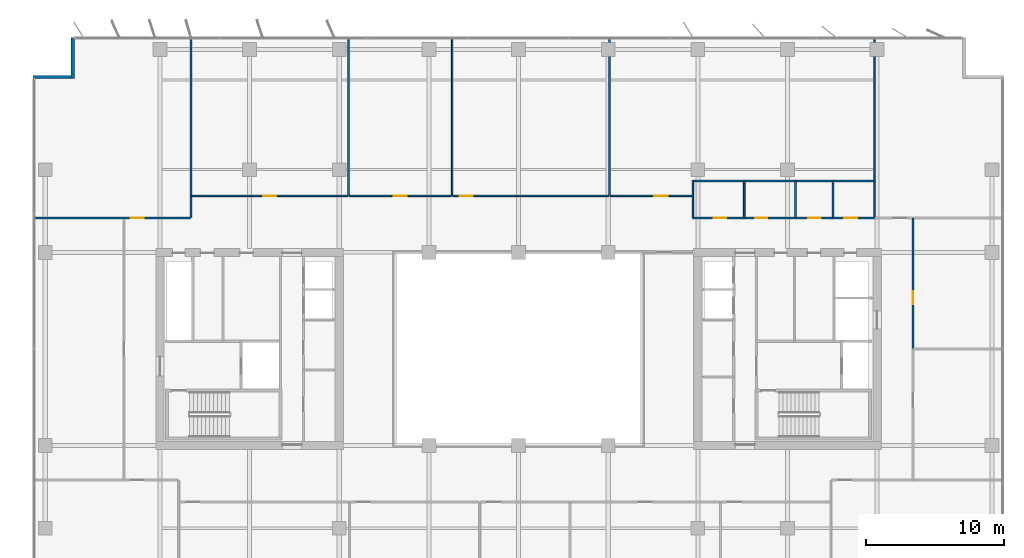
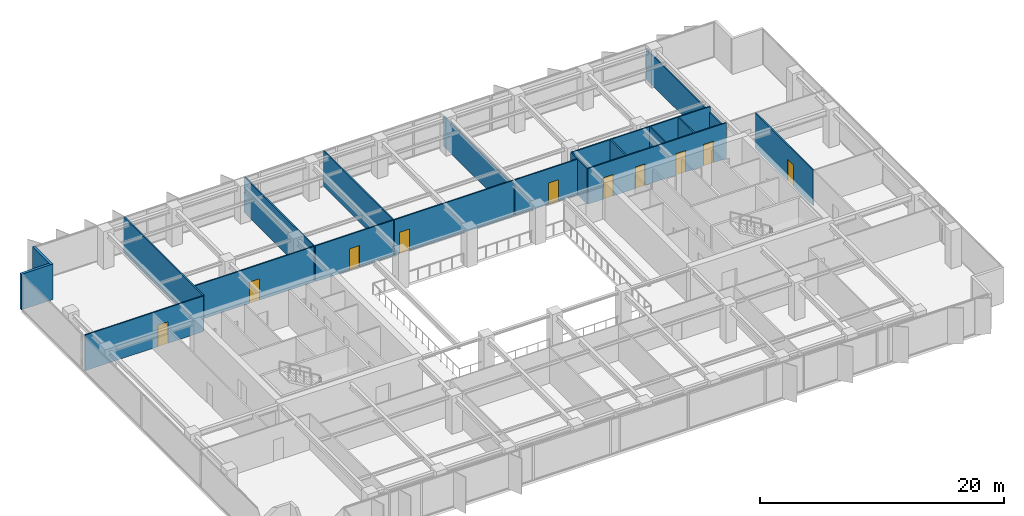
# One storey, part 17 of 22: 19 walls, 10 doors, 10 openings.
"""IFC4 building model written with IfcOpenShell, lengths in metres."""

from ifc_helpers import new_model, si_unit, direction, frame, frame_2d, origin, place, context, subcontext, project, spatial, rectangle, extrude, material, layer, layer_set, type_object, element, fill, save


model = new_model("IFC4")

# Units and contexts
model_context = context("Model", 3, precision=1e-05, world=origin(), true_north=direction((0.0, 1.0)))
body_context = subcontext(model_context, "Body", "Model", "MODEL_VIEW")
ifc_project = project(units=[si_unit("LENGTHUNIT", "METRE"), si_unit("AREAUNIT", "SQUARE_METRE"), si_unit("VOLUMEUNIT", "CUBIC_METRE"), si_unit("PLANEANGLEUNIT", "RADIAN"), si_unit("MASSUNIT", "GRAM", prefix="KILO")], contexts=[model_context])

# Site, building, storey
site_placement = place(None, origin())
site = spatial("IfcSite", under=ifc_project, at=site_placement, CompositionType="ELEMENT")
building_placement = place(site_placement, origin())
building = spatial("IfcBuilding", under=site, at=building_placement, Name="Putna Gate Headquarters", CompositionType="ELEMENT")
storey_placement = place(building_placement, frame((0.0, 0.0, 163.199951171875)))
storey = spatial("IfcBuildingStorey", under=building, at=storey_placement, Name="L40", CompositionType="ELEMENT", Elevation=163.199951171875)

# Walls
ifc_material_1 = material(Name="Precast concrete C40/50", Category="concrete")
ifc_layer_1 = layer(ifc_material_1, 0.239990234375)
ifc_layer_set_1 = layer_set([ifc_layer_1], Name="Precast concrete C40/50")
wall_type_1 = type_object("IfcWallType", Name="WALL-EXT-TERR-240", PredefinedType="STANDARD", material=ifc_layer_set_1)
for number, where, z_axis, x_axis, name in (
    (1, (6.679931640625, 45.60009765625, 0.0), (0.0, 0.0, 1.0), (0.0, 1.0, 0.0), "L40 Corner Notch Return Wall NW-V"),
    (2, (3.800048828125, 45.719970703125, 0.0), (0.0, 0.0, 1.0), (1.0, 0.0, 0.0), "L40 Corner Notch Return Wall NW-H"),
):
    element("IfcWall", number, at=place(storey_placement, frame(where, z_axis=z_axis, x_axis=x_axis)), inside=storey, type_object=wall_type_1, Name=name, PredefinedType="STANDARD", context=body_context, shape_type="SweptSolid", body=[
        extrude(rectangle(XDim=3.0, YDim=0.239990234375, at=frame_2d((1.5, 0.0))), origin(), (0.0, 0.0, 1.0), 3.572021484375),
    ])
ifc_material_2 = material(Name="Acoustic gypsum board on metal stud")
ifc_layer_2 = layer(ifc_material_2, 0.1201171875)
ifc_layer_set_2 = layer_set([ifc_layer_2], Name="Acoustic gypsum board on metal stud")
wall_type_2 = type_object("IfcWallType", Name="WALL-PART-120", PredefinedType="PARTITIONING", material=ifc_layer_set_2)
wall_1_placement = place(storey_placement, frame((15.2548828125, 35.56005859375, 0.0), z_axis=(0.0, 0.0, 1.0), x_axis=(0.0, 1.0, 0.0)))
element("IfcWall", 3, at=wall_1_placement, inside=storey, type_object=wall_type_2, Name="L40 Interior Wall PART-L40-NB-DIV-01", PredefinedType="PARTITIONING", context=body_context, shape_type="SweptSolid", body=[
    extrude(rectangle(XDim=13.02001953125, YDim=0.1201171875, at=frame_2d((6.510009765625, 0.0))), origin(), (0.0, 0.0, 1.0), 3.572021484375),
])
for number, where, z_axis, x_axis, name in (
    (4, (26.669189453125, 37.159912109375, 0.0), (0.0, 0.0, 1.0), (0.0, 1.0, 0.0), "L40 Interior Wall PART-L40-NB-DIV-02"),
    (5, (34.185791015625, 37.159912109375, 0.0), (0.0, 0.0, 1.0), (0.0, 1.0, 0.0), "L40 Interior Wall PART-L40-NB-DIV-03"),
):
    element("IfcWall", number, at=place(storey_placement, frame(where, z_axis=z_axis, x_axis=x_axis)), inside=storey, type_object=wall_type_2, Name=name, PredefinedType="PARTITIONING", context=body_context, shape_type="SweptSolid", body=[
        extrude(rectangle(XDim=11.420166015625, YDim=0.1201171875, at=frame_2d((5.7099609375, 0.0))), origin(), (0.0, 0.0, 1.0), 3.572021484375),
    ])
wall_2_placement = place(storey_placement, frame((45.60009765625, 37.159912109375, 0.0), z_axis=(0.0, 0.0, 1.0), x_axis=(0.0, 1.0, 0.0)))
element("IfcWall", 6, at=wall_2_placement, inside=storey, type_object=wall_type_2, Name="L40 Interior Wall PART-L40-NB-DIV-04", PredefinedType="PARTITIONING", context=body_context, shape_type="SweptSolid", body=[
    extrude(rectangle(XDim=11.420166015625, YDim=0.1201171875, at=frame_2d((5.7099609375, 0.0))), origin(), (0.0, 0.0, 1.0), 3.02197265625),
])
wall_3_placement = place(storey_placement, frame((64.800048828125, 35.56005859375, 0.0), z_axis=(0.0, 0.0, 1.0), x_axis=(0.0, 1.0, 0.0)))
element("IfcWall", 7, at=wall_3_placement, inside=storey, type_object=wall_type_2, Name="L40 Interior Wall PART-L40-NB-DIV-05", PredefinedType="PARTITIONING", context=body_context, shape_type="SweptSolid", body=[
    extrude(rectangle(XDim=13.02001953125, YDim=0.1201171875, at=frame_2d((6.510009765625, 0.0))), origin(), (0.0, 0.0, 1.0), 3.02197265625),
])

# Wall, openings, doors
ifc_material_3 = material(Name="Fire-rated gypsum board on metal stud")
ifc_layer_3 = layer(ifc_material_3, 0.1201171875)
ifc_layer_set_3 = layer_set([ifc_layer_3], Name="Fire-rated gypsum board on metal stud")
wall_type_3 = type_object("IfcWallType", Name="WALL-PART-120-RATED", PredefinedType="PARTITIONING", material=ifc_layer_set_3)
wall_4_placement = place(storey_placement, frame((51.639892578125, 35.5, 0.0), z_axis=(0.0, 0.0, 1.0), x_axis=(1.0, 0.0, 0.0)))
wall_4 = element("IfcWall", 8, at=wall_4_placement, inside=storey, type_object=wall_type_3, Name="L40 Interior Wall PART-L40-SAN-CW", PredefinedType="PARTITIONING", context=body_context, shape_type="SweptSolid", body=[
    extrude(rectangle(XDim=13.16015625, YDim=0.1201171875, at=frame_2d((6.580078125, 0.0))), origin(), (0.0, 0.0, 1.0), 3.572021484375),
])
opening_1_placement = place(wall_4_placement, frame((1.510009765625, 0.0, 0.0)))
opening_1 = element("IfcOpeningElement", 9, at=opening_1_placement, cuts=wall_4, Name="Opening FD-90", PredefinedType="OPENING", context=body_context, shape_type="SweptSolid", body=[
    extrude(rectangle(XDim=0.89990234375, YDim=2.14990234375, at=frame_2d((0.449951171875, 1.074951171875))), frame((0.0, 0.070068359375, 0.0), z_axis=(0.0, -1.0, 0.0), x_axis=(1.0, 0.0, 0.0)), (0.0, 0.0, 1.0), 0.14013671875),
])
opening_2_placement = place(wall_4_placement, frame((4.510009765625, 0.0, 0.0)))
opening_2 = element("IfcOpeningElement", 10, at=opening_2_placement, cuts=wall_4, Name="Opening FD-90", PredefinedType="OPENING", context=body_context, shape_type="SweptSolid", body=[
    extrude(rectangle(XDim=0.89990234375, YDim=2.14990234375, at=frame_2d((0.449951171875, 1.074951171875))), frame((0.0, 0.070068359375, 0.0), z_axis=(0.0, -1.0, 0.0), x_axis=(1.0, 0.0, 0.0)), (0.0, 0.0, 1.0), 0.14013671875),
])
opening_3_placement = place(wall_4_placement, frame((8.360107421875, 0.0, 0.0)))
opening_3 = element("IfcOpeningElement", 11, at=opening_3_placement, cuts=wall_4, Name="Opening FD-90", PredefinedType="OPENING", context=body_context, shape_type="SweptSolid", body=[
    extrude(rectangle(XDim=0.89990234375, YDim=2.14990234375, at=frame_2d((0.449951171875, 1.074951171875))), frame((0.0, 0.070068359375, 0.0), z_axis=(0.0, -1.0, 0.0), x_axis=(1.0, 0.0, 0.0)), (0.0, 0.0, 1.0), 0.14013671875),
])
opening_4_placement = place(wall_4_placement, frame((10.9599609375, 0.0, 0.0)))
opening_4 = element("IfcOpeningElement", 12, at=opening_4_placement, cuts=wall_4, Name="Opening FD-95", PredefinedType="OPENING", context=body_context, shape_type="SweptSolid", body=[
    extrude(rectangle(XDim=0.949951171875, YDim=2.14990234375, at=frame_2d((0.47509765625, 1.074951171875))), frame((0.0, 0.070068359375, 0.0), z_axis=(0.0, -1.0, 0.0), x_axis=(1.0, 0.0, 0.0)), (0.0, 0.0, 1.0), 0.14013671875),
])
ifc_material_4 = material(Name="Acoustic washroom fire door")
door_type_1 = type_object("IfcDoorType", Name="DOOR-FIRE-900", OperationType="NOTDEFINED", PredefinedType="DOOR", material=ifc_material_4)
door_1_placement = place(opening_1_placement, origin())
door_1 = element("IfcDoor", 13, at=door_1_placement, inside=storey, type_object=door_type_1, Name="L40 Washroom Male Door", OperationType="SINGLE_SWING_RIGHT", OverallHeight=2.14990234375, OverallWidth=0.89990234375, PredefinedType="DOOR", context=body_context, shape_type="SweptSolid", body=[
    extrude(rectangle(XDim=0.89990234375, YDim=2.14990234375, at=frame_2d((0.449951171875, 1.074951171875))), frame((0.0, 0.02490234375, 0.0), z_axis=(0.0, -1.0, 0.0), x_axis=(1.0, 0.0, 0.0)), (0.0, 0.0, 1.0), 0.050048828125),
])
fill(opening_1, door_1)
door_2_placement = place(opening_2_placement, origin())
door_2 = element("IfcDoor", 14, at=door_2_placement, inside=storey, type_object=door_type_1, Name="L40 Washroom Female Door", OperationType="SINGLE_SWING_LEFT", OverallHeight=2.14990234375, OverallWidth=0.89990234375, PredefinedType="DOOR", context=body_context, shape_type="SweptSolid", body=[
    extrude(rectangle(XDim=0.89990234375, YDim=2.14990234375, at=frame_2d((0.449951171875, 1.074951171875))), frame((0.0, 0.02490234375, 0.0), z_axis=(0.0, -1.0, 0.0), x_axis=(1.0, 0.0, 0.0)), (0.0, 0.0, 1.0), 0.050048828125),
])
fill(opening_2, door_2)
door_3_placement = place(opening_3_placement, origin())
door_3 = element("IfcDoor", 15, at=door_3_placement, inside=storey, type_object=door_type_1, Name="L40 Accessible WC Door", OperationType="SINGLE_SWING_RIGHT", OverallHeight=2.14990234375, OverallWidth=0.89990234375, PredefinedType="DOOR", context=body_context, shape_type="SweptSolid", body=[
    extrude(rectangle(XDim=0.89990234375, YDim=2.14990234375, at=frame_2d((0.449951171875, 1.074951171875))), frame((0.0, 0.02490234375, 0.0), z_axis=(0.0, -1.0, 0.0), x_axis=(1.0, 0.0, 0.0)), (0.0, 0.0, 1.0), 0.050048828125),
])
fill(opening_3, door_3)
ifc_material_5 = material(Name="Acoustic timber fire door", Category="wood")
door_type_2 = type_object("IfcDoorType", Name="DOOR-FIRE-950", OperationType="NOTDEFINED", PredefinedType="DOOR", material=ifc_material_5)
door_4_placement = place(opening_4_placement, origin())
door_4 = element("IfcDoor", 16, at=door_4_placement, inside=storey, type_object=door_type_2, Name="L40 Staff Pantry and Tea Point Door", OperationType="SINGLE_SWING_LEFT", OverallHeight=2.14990234375, OverallWidth=0.949951171875, PredefinedType="DOOR", context=body_context, shape_type="SweptSolid", body=[
    extrude(rectangle(XDim=0.949951171875, YDim=2.14990234375, at=frame_2d((0.47509765625, 1.074951171875))), frame((0.0, 0.02490234375, 0.0), z_axis=(0.0, -1.0, 0.0), x_axis=(1.0, 0.0, 0.0)), (0.0, 0.0, 1.0), 0.050048828125),
])
fill(opening_4, door_4)

# Walls
wall_5_placement = place(storey_placement, frame((51.639892578125, 38.179931640625, 0.0), z_axis=(0.0, 0.0, 1.0), x_axis=(1.0, 0.0, 0.0)))
element("IfcWall", 17, at=wall_5_placement, inside=storey, type_object=wall_type_3, Name="L40 Interior Wall PART-L40-SAN-BACK", PredefinedType="PARTITIONING", context=body_context, shape_type="SweptSolid", body=[
    extrude(rectangle(XDim=13.16015625, YDim=0.1201171875, at=frame_2d((6.580078125, 0.0))), origin(), (0.0, 0.0, 1.0), 3.572021484375),
])
for number, where, z_axis, x_axis, name in (
    (18, (51.639892578125, 35.5, 0.0), (0.0, 0.0, 1.0), (0.0, 1.0, 0.0), "L40 Interior Wall PART-L40-SAN-DIV-1"),
    (19, (55.360107421875, 35.5, 0.0), (0.0, 0.0, 1.0), (0.0, 1.0, 0.0), "L40 Interior Wall PART-L40-SAN-DIV-2"),
    (20, (59.080078125, 35.5, 0.0), (0.0, 0.0, 1.0), (0.0, 1.0, 0.0), "L40 Interior Wall PART-L40-SAN-DIV-3"),
    (21, (61.800048828125, 35.5, 0.0), (0.0, 0.0, 1.0), (0.0, 1.0, 0.0), "L40 Interior Wall PART-L40-SAN-DIV-4"),
):
    element("IfcWall", number, at=place(storey_placement, frame(where, z_axis=z_axis, x_axis=x_axis)), inside=storey, type_object=wall_type_3, Name=name, PredefinedType="PARTITIONING", context=body_context, shape_type="SweptSolid", body=[
        extrude(rectangle(XDim=2.679931640625, YDim=0.1201171875, at=frame_2d((1.33984375, 0.0))), origin(), (0.0, 0.0, 1.0), 3.572021484375),
    ])

# Wall, opening, door
wall_6_placement = place(storey_placement, frame((3.97998046875, 35.5, 0.0), z_axis=(0.0, 0.0, 1.0), x_axis=(1.0, 0.0, 0.0)))
wall_6 = element("IfcWall", 22, at=wall_6_placement, inside=storey, type_object=wall_type_3, Name="L40 Interior Wall PART-L40-NB-CW-01", PredefinedType="PARTITIONING", context=body_context, shape_type="SweptSolid", body=[
    extrude(rectangle(XDim=11.215087890625, YDim=0.1201171875, at=frame_2d((5.607421875, 0.0))), origin(), (0.0, 0.0, 1.0), 3.572021484375),
])
opening_5_placement = place(wall_6_placement, frame((6.89990234375, 0.0, 0.0)))
opening_5 = element("IfcOpeningElement", 23, at=opening_5_placement, cuts=wall_6, Name="Opening FD-95", PredefinedType="OPENING", context=body_context, shape_type="SweptSolid", body=[
    extrude(rectangle(XDim=0.949951171875, YDim=2.14990234375, at=frame_2d((0.47509765625, 1.074951171875))), frame((0.0, 0.070068359375, 0.0), z_axis=(0.0, -1.0, 0.0), x_axis=(1.0, 0.0, 0.0)), (0.0, 0.0, 1.0), 0.14013671875),
])
door_5_placement = place(opening_5_placement, origin())
door_5 = element("IfcDoor", 24, at=door_5_placement, inside=storey, type_object=door_type_2, Name="L40 Cellular Office 1 Door", OperationType="SINGLE_SWING_RIGHT", OverallHeight=2.14990234375, OverallWidth=0.949951171875, PredefinedType="DOOR", context=body_context, shape_type="SweptSolid", body=[
    extrude(rectangle(XDim=0.949951171875, YDim=2.14990234375, at=frame_2d((0.47509765625, 1.074951171875))), frame((0.0, 0.02490234375, 0.0), z_axis=(0.0, -1.0, 0.0), x_axis=(1.0, 0.0, 0.0)), (0.0, 0.0, 1.0), 0.050048828125),
])
fill(opening_5, door_5)

wall_7_placement = place(storey_placement, frame((15.31494140625, 37.10009765625, 0.0), z_axis=(0.0, 0.0, 1.0), x_axis=(1.0, 0.0, 0.0)))
wall_7 = element("IfcWall", 25, at=wall_7_placement, inside=storey, type_object=wall_type_3, Name="L40 Interior Wall PART-L40-NB-CW-02", PredefinedType="PARTITIONING", context=body_context, shape_type="SweptSolid", body=[
    extrude(rectangle(XDim=11.294189453125, YDim=0.1201171875, at=frame_2d((5.64697265625, 0.0))), origin(), (0.0, 0.0, 1.0), 3.572021484375),
])
opening_6_placement = place(wall_7_placement, frame((5.172119140625, 0.0, 0.0)))
opening_6 = element("IfcOpeningElement", 26, at=opening_6_placement, cuts=wall_7, Name="Opening FD-95", PredefinedType="OPENING", context=body_context, shape_type="SweptSolid", body=[
    extrude(rectangle(XDim=0.949951171875, YDim=2.14990234375, at=frame_2d((0.47509765625, 1.074951171875))), frame((0.0, 0.070068359375, 0.0), z_axis=(0.0, -1.0, 0.0), x_axis=(1.0, 0.0, 0.0)), (0.0, 0.0, 1.0), 0.14013671875),
])
door_6_placement = place(opening_6_placement, origin())
door_6 = element("IfcDoor", 27, at=door_6_placement, inside=storey, type_object=door_type_2, Name="L40 Cellular Office 5 Door", OperationType="SINGLE_SWING_LEFT", OverallHeight=2.14990234375, OverallWidth=0.949951171875, PredefinedType="DOOR", context=body_context, shape_type="SweptSolid", body=[
    extrude(rectangle(XDim=0.949951171875, YDim=2.14990234375, at=frame_2d((0.47509765625, 1.074951171875))), frame((0.0, 0.02490234375, 0.0), z_axis=(0.0, -1.0, 0.0), x_axis=(1.0, 0.0, 0.0)), (0.0, 0.0, 1.0), 0.050048828125),
])
fill(opening_6, door_6)

wall_8_placement = place(storey_placement, frame((26.729248046875, 37.10009765625, 0.0), z_axis=(0.0, 0.0, 1.0), x_axis=(1.0, 0.0, 0.0)))
wall_8 = element("IfcWall", 28, at=wall_8_placement, inside=storey, type_object=wall_type_3, Name="L40 Interior Wall PART-L40-NB-CW-03", PredefinedType="PARTITIONING", context=body_context, shape_type="SweptSolid", body=[
    extrude(rectangle(XDim=7.396484375, YDim=0.1201171875, at=frame_2d((3.6982421875, 0.0))), origin(), (0.0, 0.0, 1.0), 3.572021484375),
])
opening_7_placement = place(wall_8_placement, frame((3.223388671875, 0.0, 0.0)))
opening_7 = element("IfcOpeningElement", 29, at=opening_7_placement, cuts=wall_8, Name="Opening FD-95", PredefinedType="OPENING", context=body_context, shape_type="SweptSolid", body=[
    extrude(rectangle(XDim=0.949951171875, YDim=2.14990234375, at=frame_2d((0.47509765625, 1.074951171875))), frame((0.0, 0.070068359375, 0.0), z_axis=(0.0, -1.0, 0.0), x_axis=(1.0, 0.0, 0.0)), (0.0, 0.0, 1.0), 0.14013671875),
])
door_7_placement = place(opening_7_placement, origin())
door_7 = element("IfcDoor", 30, at=door_7_placement, inside=storey, type_object=door_type_2, Name="L40 Conference Meeting Room 1 Door", OperationType="SINGLE_SWING_RIGHT", OverallHeight=2.14990234375, OverallWidth=0.949951171875, PredefinedType="DOOR", context=body_context, shape_type="SweptSolid", body=[
    extrude(rectangle(XDim=0.949951171875, YDim=2.14990234375, at=frame_2d((0.47509765625, 1.074951171875))), frame((0.0, 0.02490234375, 0.0), z_axis=(0.0, -1.0, 0.0), x_axis=(1.0, 0.0, 0.0)), (0.0, 0.0, 1.0), 0.050048828125),
])
fill(opening_7, door_7)

wall_9_placement = place(storey_placement, frame((34.245849609375, 37.10009765625, 0.0), z_axis=(0.0, 0.0, 1.0), x_axis=(1.0, 0.0, 0.0)))
wall_9 = element("IfcWall", 31, at=wall_9_placement, inside=storey, type_object=wall_type_3, Name="L40 Interior Wall PART-L40-NB-CW-04", PredefinedType="PARTITIONING", context=body_context, shape_type="SweptSolid", body=[
    extrude(rectangle(XDim=11.294189453125, YDim=0.1201171875, at=frame_2d((5.64697265625, 0.0))), origin(), (0.0, 0.0, 1.0), 3.572021484375),
])
opening_8_placement = place(wall_9_placement, frame((0.47998046875, 0.0, 0.0)))
opening_8 = element("IfcOpeningElement", 32, at=opening_8_placement, cuts=wall_9, Name="Opening FD-95", PredefinedType="OPENING", context=body_context, shape_type="SweptSolid", body=[
    extrude(rectangle(XDim=0.949951171875, YDim=2.14990234375, at=frame_2d((0.47509765625, 1.074951171875))), frame((0.0, 0.070068359375, 0.0), z_axis=(0.0, -1.0, 0.0), x_axis=(1.0, 0.0, 0.0)), (0.0, 0.0, 1.0), 0.14013671875),
])
door_8_placement = place(opening_8_placement, origin())
door_8 = element("IfcDoor", 33, at=door_8_placement, inside=storey, type_object=door_type_2, Name="L40 Conference Meeting Room 2 Door", OperationType="SINGLE_SWING_LEFT", OverallHeight=2.14990234375, OverallWidth=0.949951171875, PredefinedType="DOOR", context=body_context, shape_type="SweptSolid", body=[
    extrude(rectangle(XDim=0.949951171875, YDim=2.14990234375, at=frame_2d((0.47509765625, 1.074951171875))), frame((0.0, 0.02490234375, 0.0), z_axis=(0.0, -1.0, 0.0), x_axis=(1.0, 0.0, 0.0)), (0.0, 0.0, 1.0), 0.050048828125),
])
fill(opening_8, door_8)

wall_10_placement = place(storey_placement, frame((45.659912109375, 37.10009765625, 0.0), z_axis=(0.0, 0.0, 1.0), x_axis=(1.0, 0.0, 0.0)))
wall_10 = element("IfcWall", 34, at=wall_10_placement, inside=storey, type_object=wall_type_3, Name="L40 Interior Wall PART-L40-NB-CW-05", PredefinedType="PARTITIONING", context=body_context, shape_type="SweptSolid", body=[
    extrude(rectangle(XDim=5.920166015625, YDim=0.1201171875, at=frame_2d((2.9599609375, 0.0))), origin(), (0.0, 0.0, 1.0), 3.572021484375),
])
opening_9_placement = place(wall_10_placement, frame((3.194091796875, 0.0, 0.0)))
opening_9 = element("IfcOpeningElement", 35, at=opening_9_placement, cuts=wall_10, Name="Opening FD-95", PredefinedType="OPENING", context=body_context, shape_type="SweptSolid", body=[
    extrude(rectangle(XDim=0.949951171875, YDim=2.14990234375, at=frame_2d((0.47509765625, 1.074951171875))), frame((0.0, 0.070068359375, 0.0), z_axis=(0.0, -1.0, 0.0), x_axis=(1.0, 0.0, 0.0)), (0.0, 0.0, 1.0), 0.14013671875),
])
door_9_placement = place(opening_9_placement, origin())
door_9 = element("IfcDoor", 36, at=door_9_placement, inside=storey, type_object=door_type_2, Name="L40 Primary Open Office Workplace Door", OperationType="SINGLE_SWING_RIGHT", OverallHeight=2.14990234375, OverallWidth=0.949951171875, PredefinedType="DOOR", context=body_context, shape_type="SweptSolid", body=[
    extrude(rectangle(XDim=0.949951171875, YDim=2.14990234375, at=frame_2d((0.47509765625, 1.074951171875))), frame((0.0, 0.02490234375, 0.0), z_axis=(0.0, -1.0, 0.0), x_axis=(1.0, 0.0, 0.0)), (0.0, 0.0, 1.0), 0.050048828125),
])
fill(opening_9, door_9)

wall_11_placement = place(storey_placement, frame((67.60009765625, 26.0, 0.0), z_axis=(0.0, 0.0, 1.0), x_axis=(0.0, 1.0, 0.0)))
wall_11 = element("IfcWall", 37, at=wall_11_placement, inside=storey, type_object=wall_type_3, Name="L40 Interior Wall PART-L40-EW-CW-2", PredefinedType="PARTITIONING", context=body_context, shape_type="SweptSolid", body=[
    extrude(rectangle(XDim=9.5, YDim=0.1201171875, at=frame_2d((4.75, 0.0))), origin(), (0.0, 0.0, 1.0), 3.572021484375),
])
opening_10_placement = place(wall_11_placement, frame((3.22509765625, 0.0, 0.0)))
opening_10 = element("IfcOpeningElement", 38, at=opening_10_placement, cuts=wall_11, Name="Opening FD-95", PredefinedType="OPENING", context=body_context, shape_type="SweptSolid", body=[
    extrude(rectangle(XDim=0.949951171875, YDim=2.14990234375, at=frame_2d((0.47509765625, 1.074951171875))), frame((0.0, 0.070068359375, 0.0), z_axis=(0.0, -1.0, 0.0), x_axis=(1.0, 0.0, 0.0)), (0.0, 0.0, 1.0), 0.14013671875),
])
door_10_placement = place(opening_10_placement, origin())
door_10 = element("IfcDoor", 39, at=door_10_placement, inside=storey, type_object=door_type_2, Name="L40 East Horizon Conference Room 2 Door", OperationType="SINGLE_SWING_LEFT", OverallHeight=2.14990234375, OverallWidth=0.949951171875, PredefinedType="DOOR", context=body_context, shape_type="SweptSolid", body=[
    extrude(rectangle(XDim=0.949951171875, YDim=2.14990234375, at=frame_2d((0.47509765625, 1.074951171875))), frame((0.0, 0.02490234375, 0.0), z_axis=(0.0, -1.0, 0.0), x_axis=(1.0, 0.0, 0.0)), (0.0, 0.0, 1.0), 0.050048828125),
])
fill(opening_10, door_10)

save(model, "model.ifc")
